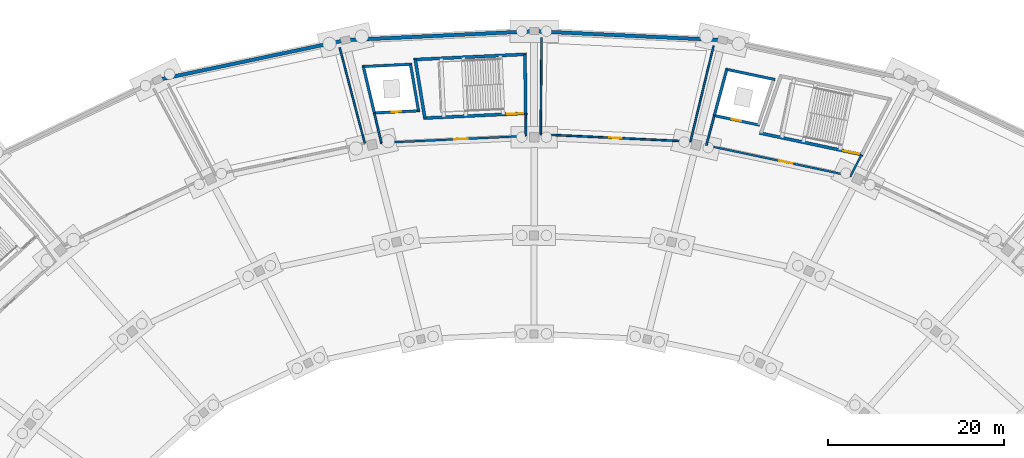
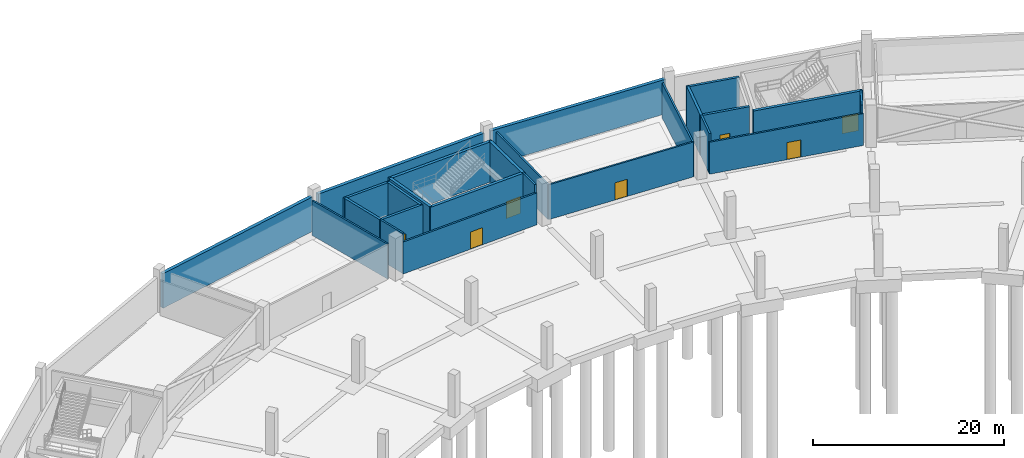
# One storey, part 17 of 49: 25 walls, 7 doors, 7 openings.
"""IFC4 building model written with IfcOpenShell, lengths in metres."""

from ifc_helpers import new_model, si_unit, direction, frame, frame_2d, origin, place, context, subcontext, project, spatial, rectangle, extrude, material, layer, layer_set, type_object, element, fill, save


model = new_model("IFC4")

# Units and contexts
model_context = context("Model", 3, precision=1e-05, world=origin(), true_north=direction((0.0, 1.0)))
body_context = subcontext(model_context, "Body", "Model", "MODEL_VIEW")
ifc_project = project(units=[si_unit("LENGTHUNIT", "METRE"), si_unit("AREAUNIT", "SQUARE_METRE"), si_unit("VOLUMEUNIT", "CUBIC_METRE"), si_unit("PLANEANGLEUNIT", "RADIAN"), si_unit("MASSUNIT", "GRAM", prefix="KILO")], contexts=[model_context])

# Site, building, storey
site_placement = place(None, origin())
site = spatial("IfcSite", under=ifc_project, at=site_placement, CompositionType="ELEMENT")
building_placement = place(site_placement, origin())
building = spatial("IfcBuilding", under=site, at=building_placement, Name="Kazemori Nagisa Stadium", CompositionType="ELEMENT")
storey_placement = place(building_placement, frame((0.0, 0.0, -5.43994140625)))
storey = spatial("IfcBuildingStorey", under=building, at=storey_placement, Name="B1", CompositionType="ELEMENT", Elevation=-5.43994140625)

# Walls
ifc_material_1 = material(Name="Concrete C40/50 (Fc42)", Category="concrete")
ifc_layer_1 = layer(ifc_material_1, 0.39990234375, Name="Concrete C40/50 (Fc42)", Category="concrete")
ifc_layer_set_1 = layer_set([ifc_layer_1], Name="Concrete C40/50 (Fc42)")
wall_type_1 = type_object("IfcWallType", Name="Wall_W-B1-RET-400", PredefinedType="SOLIDWALL", material=ifc_layer_set_1)
for number, where, z_axis, x_axis, name in (
    (1, (144.0380859375, 187.00537109375, 0.0), (0.0, 0.0, 1.0), (-0.998884033728, 0.047230150999, 0.0), "Basement perimeter retaining wall B1-07"),
    (2, (122.6103515625, 187.981689453125, 0.0), (0.0, 0.0, 1.0), (-0.998884033728, -0.047230150999, 0.0), "Basement perimeter retaining wall B1-08"),
):
    element("IfcWall", number, at=place(storey_placement, frame(where, z_axis=z_axis, x_axis=x_axis)), inside=storey, type_object=wall_type_1, Name=name, PredefinedType="SOLIDWALL", context=body_context, shape_type="SweptSolid", body=[
        extrude(rectangle(XDim=20.67138671875, YDim=0.39990234375, at=frame_2d((10.335693359375, 0.0))), origin(), (0.0, 0.0, 1.0), 4.419921875),
    ])
wall_1_placement = place(storey_placement, frame((101.190673828125, 186.906005859375, 0.0), z_axis=(0.0, 0.0, 1.0), x_axis=(-0.978345100851, -0.206980346028, 0.0)))
element("IfcWall", 3, at=wall_1_placement, inside=storey, type_object=wall_type_1, Name="Basement perimeter retaining wall B1-09", PredefinedType="SOLIDWALL", context=body_context, shape_type="SweptSolid", body=[
    extrude(rectangle(XDim=21.070068359375, YDim=0.39990234375, at=frame_2d((10.53515625, 0.0))), origin(), (0.0, 0.0, 1.0), 4.419921875),
])

# Wall, opening, door
ifc_layer_2 = layer(ifc_material_1, 0.35009765625, Name="Concrete C40/50 (Fc42)", Category="concrete")
ifc_layer_set_2 = layer_set([ifc_layer_2], Name="Concrete C40/50 (Fc42)")
wall_type_2 = type_object("IfcWallType", Name="Wall_W-CORE-350", PredefinedType="SHEAR", material=ifc_layer_set_2)
wall_2_placement = place(storey_placement, frame((160.399658203125, 173.939697265625, 0.0), z_axis=(0.0, 0.0, 1.0), x_axis=(-0.978345203961, 0.206979858648, 0.0)))
wall_2 = element("IfcWall", 4, at=wall_2_placement, inside=storey, type_object=wall_type_2, Name="Core stair front shear wall ST11 B1", PredefinedType="SHEAR", context=body_context, shape_type="SweptSolid", body=[
    extrude(rectangle(XDim=12.044189453125, YDim=0.35009765625, at=frame_2d((6.02197265625, 0.0))), origin(), (0.0, 0.0, 1.0), 5.139892578125),
])
opening_1_placement = place(wall_2_placement, frame((0.47509765625, 0.0, 0.0)))
opening_1 = element("IfcOpeningElement", 5, at=opening_1_placement, cuts=wall_2, Name="Opening D-ST-1800", PredefinedType="OPENING", context=body_context, shape_type="SweptSolid", body=[
    extrude(rectangle(XDim=1.800048828125, YDim=2.199951171875, at=frame_2d((0.89990234375, 1.10009765625))), frame((0.0, 0.18505859375, 0.0), z_axis=(0.0, -1.0, 0.0), x_axis=(1.0, 0.0, 0.0)), (0.0, 0.0, 1.0), 0.3701171875),
])
ifc_material_2 = material(Name="Galvanised steel sheet", Category="steel")
door_type_1 = type_object("IfcDoorType", Name="Door_D-ST-1800", OperationType="NOTDEFINED", PredefinedType="DOOR", material=ifc_material_2)
door_1_placement = place(opening_1_placement, frame((1.800048828125, 0.0, 0.0), z_axis=(0.0, 0.0, 1.0), x_axis=(-1.0, 0.0, 0.0)))
door_1 = element("IfcDoor", 6, at=door_1_placement, inside=storey, type_object=door_type_1, Name="Exit stair fire door ST11-B1", OperationType="SINGLE_SWING_LEFT", OverallHeight=2.199951171875, OverallWidth=1.800048828125, PredefinedType="DOOR", context=body_context, shape_type="SweptSolid", body=[
    extrude(rectangle(XDim=1.800048828125, YDim=2.199951171875, at=frame_2d((0.89990234375, 1.10009765625))), frame((0.0, 0.02490234375, 0.0), z_axis=(0.0, -1.0, 0.0), x_axis=(1.0, 0.0, 0.0)), (0.0, 0.0, 1.0), 0.050048828125),
])
fill(opening_1, door_1)

wall_3_placement = place(storey_placement, frame((122.218994140625, 178.675048828125, 0.0), z_axis=(0.0, 0.0, 1.0), x_axis=(-0.998883770468, -0.04723571843, 0.0)))
wall_3 = element("IfcWall", 7, at=wall_3_placement, inside=storey, type_object=wall_type_2, Name="Core stair front shear wall ST05 B1", PredefinedType="SHEAR", context=body_context, shape_type="SweptSolid", body=[
    extrude(rectangle(XDim=11.830810546875, YDim=0.35009765625, at=frame_2d((5.91552734375, 0.0))), origin(), (0.0, 0.0, 1.0), 5.139892578125),
])
opening_2_placement = place(wall_3_placement, frame((0.47509765625, 0.0, 0.0)))
opening_2 = element("IfcOpeningElement", 8, at=opening_2_placement, cuts=wall_3, Name="Opening D-ST-1800", PredefinedType="OPENING", context=body_context, shape_type="SweptSolid", body=[
    extrude(rectangle(XDim=1.800048828125, YDim=2.199951171875, at=frame_2d((0.89990234375, 1.10009765625))), frame((0.0, 0.18505859375, 0.0), z_axis=(0.0, -1.0, 0.0), x_axis=(1.0, 0.0, 0.0)), (0.0, 0.0, 1.0), 0.3701171875),
])
door_2_placement = place(opening_2_placement, frame((1.800048828125, 0.0, 0.0), z_axis=(0.0, 0.0, 1.0), x_axis=(-1.0, 0.0, 0.0)))
door_2 = element("IfcDoor", 9, at=door_2_placement, inside=storey, type_object=door_type_1, Name="Exit stair fire door ST05-B1", OperationType="SINGLE_SWING_RIGHT", OverallHeight=2.199951171875, OverallWidth=1.800048828125, PredefinedType="DOOR", context=body_context, shape_type="SweptSolid", body=[
    extrude(rectangle(XDim=1.800048828125, YDim=2.199951171875, at=frame_2d((0.89990234375, 1.10009765625))), frame((0.0, 0.02490234375, 0.0), z_axis=(0.0, -1.0, 0.0), x_axis=(1.0, 0.0, 0.0)), (0.0, 0.0, 1.0), 0.050048828125),
])
fill(opening_2, door_2)

# Walls
wall_4_placement = place(storey_placement, frame((122.135498046875, 185.379150390625, 0.0), z_axis=(0.0, 0.0, 1.0), x_axis=(-0.998884004857, -0.047230761603, 0.0)))
element("IfcWall", 10, at=wall_4_placement, inside=storey, type_object=wall_type_2, Name="Core stair rear shear wall ST05 B1", PredefinedType="SHEAR", context=body_context, shape_type="SweptSolid", body=[
    extrude(rectangle(XDim=12.8349609375, YDim=0.35009765625, at=frame_2d((6.41748046875, 0.0))), origin(), (0.0, 0.0, 1.0), 5.139892578125),
])
wall_5_placement = place(storey_placement, frame((122.04443359375, 178.666748046875, 0.0), z_axis=(0.0, 0.0, 1.0), x_axis=(-0.012489921532, 0.999921997888, 0.0)))
element("IfcWall", 11, at=wall_5_placement, inside=storey, type_object=wall_type_2, Name="Core stair left shear wall ST05 B1", PredefinedType="SHEAR", context=body_context, shape_type="SweptSolid", body=[
    extrude(rectangle(XDim=6.70458984375, YDim=0.35009765625, at=frame_2d((3.352294921875, 0.0))), origin(), (0.0, 0.0, 1.0), 5.139892578125),
])
wall_6_placement = place(storey_placement, frame((110.576171875, 178.12451171875, 0.0), z_axis=(0.0, 0.0, 1.0), x_axis=(-0.161075775241, 0.986942042184, 0.0)))
element("IfcWall", 12, at=wall_6_placement, inside=storey, type_object=wall_type_2, Name="Core stair right shear wall ST05 B1", PredefinedType="SHEAR", context=body_context, shape_type="SweptSolid", body=[
    extrude(rectangle(XDim=6.744873046875, YDim=0.35009765625, at=frame_2d((3.37255859375, 0.0))), origin(), (0.0, 0.0, 1.0), 5.139892578125),
])

# Wall, opening, door
ifc_material_3 = material(Name="Concrete C36/45 (Fc36)", Category="concrete")
ifc_layer_3 = layer(ifc_material_3, 0.219970703125, Name="Concrete C36/45 (Fc36)", Category="concrete")
ifc_layer_set_3 = layer_set([ifc_layer_3], Name="Concrete C36/45 (Fc36)")
wall_type_3 = type_object("IfcWallType", Name="Wall_W-LOBBY-220", PredefinedType="SOLIDWALL", material=ifc_layer_set_3)
wall_7_placement = place(storey_placement, frame((159.083984375, 171.5322265625, 0.0), z_axis=(0.0, 0.0, 1.0), x_axis=(-0.978342313718, 0.206993519678, 0.0)))
wall_7 = element("IfcWall", 13, at=wall_7_placement, inside=storey, type_object=wall_type_3, Name="Core lobby fire wall ST11 B1", PredefinedType="SOLIDWALL", context=body_context, shape_type="SweptSolid", body=[
    extrude(rectangle(XDim=16.983154296875, YDim=0.219970703125, at=frame_2d((8.49169921875, 0.0))), origin(), (0.0, 0.0, 1.0), 4.087890625),
])
opening_3_placement = place(wall_7_placement, frame((6.903076171875, 0.0, 0.0)))
opening_3 = element("IfcOpeningElement", 14, at=opening_3_placement, cuts=wall_7, Name="Opening D-FFL-1500", PredefinedType="OPENING", context=body_context, shape_type="SweptSolid", body=[
    extrude(rectangle(XDim=1.5, YDim=2.199951171875, at=frame_2d((0.75, 1.10009765625))), frame((0.0, 0.119873046875, 0.0), z_axis=(0.0, -1.0, 0.0), x_axis=(1.0, 0.0, 0.0)), (0.0, 0.0, 1.0), 0.239990234375),
])
door_type_2 = type_object("IfcDoorType", Name="Door_D-FFL-1500", OperationType="NOTDEFINED", PredefinedType="DOOR", material=ifc_material_2)
door_3_placement = place(opening_3_placement, frame((1.5, 0.0, 0.0), z_axis=(0.0, 0.0, 1.0), x_axis=(-1.0, 0.0, 0.0)))
door_3 = element("IfcDoor", 15, at=door_3_placement, inside=storey, type_object=door_type_2, Name="Protected lobby fire door ST11-B1", OperationType="DOUBLE_DOOR_SINGLE_SWING", OverallHeight=2.199951171875, OverallWidth=1.5, PredefinedType="DOOR", context=body_context, shape_type="SweptSolid", body=[
    extrude(rectangle(XDim=1.5, YDim=2.199951171875, at=frame_2d((0.75, 1.10009765625))), frame((0.0, 0.02490234375, 0.0), z_axis=(0.0, -1.0, 0.0), x_axis=(1.0, 0.0, 0.0)), (0.0, 0.0, 1.0), 0.050048828125),
])
fill(opening_3, door_3)

# Walls
wall_8_placement = place(storey_placement, frame((158.976318359375, 171.55517578125, 0.0), z_axis=(0.0, 0.0, 1.0), x_axis=(0.459461910618, 0.888197473928, 0.0)))
element("IfcWall", 16, at=wall_8_placement, inside=storey, type_object=wall_type_3, Name="Core lobby left wall ST11 B1", PredefinedType="SOLIDWALL", context=body_context, shape_type="SweptSolid", body=[
    extrude(rectangle(XDim=2.725341796875, YDim=0.219970703125, at=frame_2d((1.36279296875, 0.0))), origin(), (0.0, 0.0, 1.0), 5.139892578125),
])
wall_9_placement = place(storey_placement, frame((142.576171875, 175.024658203125, 0.0), z_axis=(0.0, 0.0, 1.0), x_axis=(0.258940146037, 0.965893369255, 0.0)))
element("IfcWall", 17, at=wall_9_placement, inside=storey, type_object=wall_type_3, Name="Core lobby right wall ST11 B1", PredefinedType="SOLIDWALL", context=body_context, shape_type="SweptSolid", body=[
    extrude(rectangle(XDim=3.50830078125, YDim=0.219970703125, at=frame_2d((1.754150390625, 0.0))), origin(), (0.0, 0.0, 1.0), 5.139892578125),
])

# Wall, opening, door
wall_10_placement = place(storey_placement, frame((122.186279296875, 176.093505859375, 0.0), z_axis=(0.0, 0.0, 1.0), x_axis=(-0.998884242682, -0.047225731555, 0.0)))
wall_10 = element("IfcWall", 18, at=wall_10_placement, inside=storey, type_object=wall_type_3, Name="Core lobby fire wall ST05 B1", PredefinedType="SOLIDWALL", context=body_context, shape_type="SweptSolid", body=[
    extrude(rectangle(XDim=16.67724609375, YDim=0.219970703125, at=frame_2d((8.338623046875, 0.0))), origin(), (0.0, 0.0, 1.0), 4.087890625),
])
opening_4_placement = place(wall_10_placement, frame((6.76611328125, 0.0, 0.0)))
opening_4 = element("IfcOpeningElement", 19, at=opening_4_placement, cuts=wall_10, Name="Opening D-FFL-1500", PredefinedType="OPENING", context=body_context, shape_type="SweptSolid", body=[
    extrude(rectangle(XDim=1.5, YDim=2.199951171875, at=frame_2d((0.75, 1.10009765625))), frame((0.0, 0.119873046875, 0.0), z_axis=(0.0, -1.0, 0.0), x_axis=(1.0, 0.0, 0.0)), (0.0, 0.0, 1.0), 0.239990234375),
])
door_4_placement = place(opening_4_placement, frame((1.5, 0.0, 0.0), z_axis=(0.0, 0.0, 1.0), x_axis=(-1.0, 0.0, 0.0)))
door_4 = element("IfcDoor", 20, at=door_4_placement, inside=storey, type_object=door_type_2, Name="Protected lobby fire door ST05-B1", OperationType="DOUBLE_DOOR_SINGLE_SWING", OverallHeight=2.199951171875, OverallWidth=1.5, PredefinedType="DOOR", context=body_context, shape_type="SweptSolid", body=[
    extrude(rectangle(XDim=1.5, YDim=2.199951171875, at=frame_2d((0.75, 1.10009765625))), frame((0.0, 0.02490234375, 0.0), z_axis=(0.0, -1.0, 0.0), x_axis=(1.0, 0.0, 0.0)), (0.0, 0.0, 1.0), 0.050048828125),
])
fill(opening_4, door_4)

# Walls
wall_11_placement = place(storey_placement, frame((122.076416015625, 176.08837890625, 0.0), z_axis=(0.0, 0.0, 1.0), x_axis=(-0.012403174243, 0.999923077676, 0.0)))
element("IfcWall", 21, at=wall_11_placement, inside=storey, type_object=wall_type_3, Name="Core lobby left wall ST05 B1", PredefinedType="SOLIDWALL", context=body_context, shape_type="SweptSolid", body=[
    extrude(rectangle(XDim=2.57861328125, YDim=0.219970703125, at=frame_2d((1.289306640625, 0.0))), origin(), (0.0, 0.0, 1.0), 5.139892578125),
])
wall_12_placement = place(storey_placement, frame((105.6376953125, 175.31103515625, 0.0), z_axis=(0.0, 0.0, 1.0), x_axis=(-0.230522067539, 0.973067097572, 0.0)))
element("IfcWall", 22, at=wall_12_placement, inside=storey, type_object=wall_type_3, Name="Core lobby right wall ST05 B1", PredefinedType="SOLIDWALL", context=body_context, shape_type="SweptSolid", body=[
    extrude(rectangle(XDim=3.49609375, YDim=0.219970703125, at=frame_2d((1.748046875, 0.0))), origin(), (0.0, 0.0, 1.0), 5.139892578125),
])

# Wall, opening, door
ifc_material_4 = material(Name="Autoclaved aerated concrete blockwork", Category="masonry")
ifc_layer_4 = layer(ifc_material_4, 0.199951171875, Name="Autoclaved aerated concrete blockwork", Category="masonry")
ifc_layer_set_4 = layer_set([ifc_layer_4], Name="Autoclaved aerated concrete blockwork")
wall_type_4 = type_object("IfcWallType", Name="Wall_W-PART-200", PredefinedType="PARTITIONING", material=ifc_layer_set_4)
wall_13_placement = place(storey_placement, frame((140.77294921875, 175.463623046875, 0.0), z_axis=(0.0, 0.0, 1.0), x_axis=(-0.998883826153, 0.047234540851, 0.0)))
wall_13 = element("IfcWall", 23, at=wall_13_placement, inside=storey, type_object=wall_type_4, Name="Room corridor partition B1-B07", PredefinedType="PARTITIONING", context=body_context, shape_type="SweptSolid", body=[
    extrude(rectangle(XDim=17.051513671875, YDim=0.199951171875, at=frame_2d((8.52587890625, 0.0))), origin(), (0.0, 0.0, 1.0), 4.4599609375),
])
opening_5_placement = place(wall_13_placement, frame((7.801025390625, 0.0, 0.0)))
opening_5 = element("IfcOpeningElement", 24, at=opening_5_placement, cuts=wall_13, Name="Opening D-CHG-1450", PredefinedType="OPENING", context=body_context, shape_type="SweptSolid", body=[
    extrude(rectangle(XDim=1.449951171875, YDim=2.199951171875, at=frame_2d((0.72509765625, 1.10009765625))), frame((0.0, 0.10986328125, 0.0), z_axis=(0.0, -1.0, 0.0), x_axis=(1.0, 0.0, 0.0)), (0.0, 0.0, 1.0), 0.219970703125),
])
door_type_3 = type_object("IfcDoorType", Name="Door_D-CHG-1450", OperationType="NOTDEFINED", PredefinedType="DOOR", material=ifc_material_2)
door_5_placement = place(opening_5_placement, origin())
door_5 = element("IfcDoor", 25, at=door_5_placement, inside=storey, type_object=door_type_3, Name="Room entrance door D-CHG-1450 B1-B07", OperationType="SINGLE_SWING_RIGHT", OverallHeight=2.199951171875, OverallWidth=1.449951171875, PredefinedType="DOOR", context=body_context, shape_type="SweptSolid", body=[
    extrude(rectangle(XDim=1.449951171875, YDim=2.199951171875, at=frame_2d((0.72509765625, 1.10009765625))), frame((0.0, 0.02490234375, 0.0), z_axis=(0.0, -1.0, 0.0), x_axis=(1.0, 0.0, 0.0)), (0.0, 0.0, 1.0), 0.050048828125),
])
fill(opening_5, door_5)

# Walls
wall_14_placement = place(storey_placement, frame((140.77294921875, 175.463623046875, 0.0), z_axis=(0.0, 0.0, 1.0), x_axis=(0.235146333041, 0.971959979658, 0.0)))
element("IfcWall", 26, at=wall_14_placement, inside=storey, type_object=wall_type_4, Name="Room radial partition B1-B07-L", PredefinedType="PARTITIONING", context=body_context, shape_type="SweptSolid", body=[
    extrude(rectangle(XDim=11.197509765625, YDim=0.199951171875, at=frame_2d((5.5986328125, 0.0))), origin(), (0.0, 0.0, 1.0), 4.4599609375),
])
wall_15_placement = place(storey_placement, frame((123.740478515625, 176.26904296875, 0.0), z_axis=(0.0, 0.0, 1.0), x_axis=(0.00998463551, 0.999950152284, 0.0)))
element("IfcWall", 27, at=wall_15_placement, inside=storey, type_object=wall_type_4, Name="Room radial partition B1-B07-R", PredefinedType="PARTITIONING", context=body_context, shape_type="SweptSolid", body=[
    extrude(rectangle(XDim=11.003173828125, YDim=0.199951171875, at=frame_2d((5.50146484375, 0.0))), origin(), (0.0, 0.0, 1.0), 4.4599609375),
])
wall_16_placement = place(storey_placement, frame((103.747802734375, 175.272216796875, 0.0), z_axis=(0.0, 0.0, 1.0), x_axis=(-0.254131382846, 0.967169706025, 0.0)))
element("IfcWall", 28, at=wall_16_placement, inside=storey, type_object=wall_type_4, Name="Room radial partition B1-B09-L", PredefinedType="PARTITIONING", context=body_context, shape_type="SweptSolid", body=[
    extrude(rectangle(XDim=11.2236328125, YDim=0.199951171875, at=frame_2d((5.61181640625, 0.0))), origin(), (0.0, 0.0, 1.0), 4.4599609375),
])

# Wall, opening, door
ifc_layer_5 = layer(ifc_material_1, 0.300048828125, Name="Concrete C40/50 (Fc42)", Category="concrete")
ifc_layer_set_5 = layer_set([ifc_layer_5], Name="Concrete C40/50 (Fc42)")
wall_type_5 = type_object("IfcWallType", Name="Wall_W-SHAFT-300", PredefinedType="SHEAR", material=ifc_layer_set_5)
wall_17_placement = place(storey_placement, frame((148.644775390625, 177.32177734375, 0.0), z_axis=(0.0, 0.0, 1.0), x_axis=(-0.978351630878, 0.206949477793, 0.0)))
wall_17 = element("IfcWall", 29, at=wall_17_placement, inside=storey, type_object=wall_type_5, Name="Lift shaft front wall LP3 B1", PredefinedType="SHEAR", context=body_context, shape_type="SweptSolid", body=[
    extrude(rectangle(XDim=5.42431640625, YDim=0.300048828125, at=frame_2d((2.712158203125, 0.0))), origin(), (0.0, 0.0, 1.0), 5.139892578125),
])
opening_6_placement = place(wall_17_placement, frame((2.162109375, 0.0, 0.0)))
opening_6 = element("IfcOpeningElement", 30, at=opening_6_placement, cuts=wall_17, Name="Opening LD-PAX", PredefinedType="OPENING", context=body_context, shape_type="SweptSolid", body=[
    extrude(rectangle(XDim=1.10009765625, YDim=2.199951171875, at=frame_2d((0.550048828125, 1.10009765625))), frame((0.0, 0.159912109375, 0.0), z_axis=(0.0, -1.0, 0.0), x_axis=(1.0, 0.0, 0.0)), (0.0, 0.0, 1.0), 0.320068359375),
])
ifc_material_5 = material(Name="Stainless steel SUS304", Category="steel")
door_type_4 = type_object("IfcDoorType", Name="Door_LD-PAX", OperationType="SLIDING_TO_RIGHT", PredefinedType="DOOR", material=ifc_material_5)
door_6_placement = place(opening_6_placement, origin())
door_6 = element("IfcDoor", 31, at=door_6_placement, inside=storey, type_object=door_type_4, Name="Lift landing door LP3-B1", OperationType="SLIDING_TO_RIGHT", OverallHeight=2.199951171875, OverallWidth=1.10009765625, PredefinedType="DOOR", context=body_context, shape_type="SweptSolid", body=[
    extrude(rectangle(XDim=1.10009765625, YDim=2.199951171875, at=frame_2d((0.550048828125, 1.10009765625))), frame((0.0, 0.02490234375, 0.0), z_axis=(0.0, -1.0, 0.0), x_axis=(1.0, 0.0, 0.0)), (0.0, 0.0, 1.0), 0.050048828125),
])
fill(opening_6, door_6)

# Walls
wall_18_placement = place(storey_placement, frame((150.3974609375, 182.501220703125, 0.0), z_axis=(0.0, 0.0, 1.0), x_axis=(-0.978347069901, 0.206971038591, 0.0)))
element("IfcWall", 32, at=wall_18_placement, inside=storey, type_object=wall_type_5, Name="Lift shaft B wall LP3 B1", PredefinedType="SHEAR", context=body_context, shape_type="SweptSolid", body=[
    extrude(rectangle(XDim=5.7763671875, YDim=0.300048828125, at=frame_2d((2.88818359375, 0.0))), origin(), (0.0, 0.0, 1.0), 5.139892578125),
])
wall_19_placement = place(storey_placement, frame((143.484619140625, 178.413330078125, 0.0), z_axis=(0.0, 0.0, 1.0), x_axis=(0.258958994481, 0.965888316099, 0.0)))
element("IfcWall", 33, at=wall_19_placement, inside=storey, type_object=wall_type_5, Name="Lift shaft R wall LP3 B1", PredefinedType="SHEAR", context=body_context, shape_type="SweptSolid", body=[
    extrude(rectangle(XDim=5.43798828125, YDim=0.300048828125, at=frame_2d((2.718994140625, 0.0))), origin(), (0.0, 0.0, 1.0), 5.139892578125),
])

# Wall, opening, door
wall_20_placement = place(storey_placement, frame((110.007080078125, 178.95751953125, 0.0), z_axis=(0.0, 0.0, 1.0), x_axis=(-0.998884655258, -0.047217004244, 0.0)))
wall_20 = element("IfcWall", 34, at=wall_20_placement, inside=storey, type_object=wall_type_5, Name="Lift shaft front wall LP1 B1", PredefinedType="SHEAR", context=body_context, shape_type="SweptSolid", body=[
    extrude(rectangle(XDim=5.330810546875, YDim=0.300048828125, at=frame_2d((2.66552734375, 0.0))), origin(), (0.0, 0.0, 1.0), 5.139892578125),
])
opening_7_placement = place(wall_20_placement, frame((2.114990234375, 0.0, 0.0)))
opening_7 = element("IfcOpeningElement", 35, at=opening_7_placement, cuts=wall_20, Name="Opening LD-PAX", PredefinedType="OPENING", context=body_context, shape_type="SweptSolid", body=[
    extrude(rectangle(XDim=1.10009765625, YDim=2.199951171875, at=frame_2d((0.550048828125, 1.10009765625))), frame((0.0, 0.159912109375, 0.0), z_axis=(0.0, -1.0, 0.0), x_axis=(1.0, 0.0, 0.0)), (0.0, 0.0, 1.0), 0.320068359375),
])
door_7_placement = place(opening_7_placement, origin())
door_7 = element("IfcDoor", 36, at=door_7_placement, inside=storey, type_object=door_type_4, Name="Lift landing door LP1-B1", OperationType="SLIDING_TO_RIGHT", OverallHeight=2.199951171875, OverallWidth=1.10009765625, PredefinedType="DOOR", context=body_context, shape_type="SweptSolid", body=[
    extrude(rectangle(XDim=1.10009765625, YDim=2.199951171875, at=frame_2d((0.550048828125, 1.10009765625))), frame((0.0, 0.02490234375, 0.0), z_axis=(0.0, -1.0, 0.0), x_axis=(1.0, 0.0, 0.0)), (0.0, 0.0, 1.0), 0.050048828125),
])
fill(opening_7, door_7)

# Walls
wall_21_placement = place(storey_placement, frame((109.103515625, 184.246826171875, 0.0), z_axis=(0.0, 0.0, 1.0), x_axis=(-0.998884329444, -0.047223896393, 0.0)))
element("IfcWall", 37, at=wall_21_placement, inside=storey, type_object=wall_type_5, Name="Lift shaft B wall LP1 B1", PredefinedType="SHEAR", context=body_context, shape_type="SweptSolid", body=[
    extrude(rectangle(XDim=5.676513671875, YDim=0.300048828125, at=frame_2d((2.83837890625, 0.0))), origin(), (0.0, 0.0, 1.0), 5.139892578125),
])
wall_22_placement = place(storey_placement, frame((109.857177734375, 178.95068359375, 0.0), z_axis=(0.0, 0.0, 1.0), x_axis=(-0.168396746868, 0.985719298606, 0.0)))
element("IfcWall", 38, at=wall_22_placement, inside=storey, type_object=wall_type_5, Name="Lift shaft L wall LP1 B1", PredefinedType="SHEAR", context=body_context, shape_type="SweptSolid", body=[
    extrude(rectangle(XDim=5.36572265625, YDim=0.300048828125, at=frame_2d((2.682861328125, 0.0))), origin(), (0.0, 0.0, 1.0), 5.139892578125),
])
wall_23_placement = place(storey_placement, frame((104.831787109375, 178.712890625, 0.0), z_axis=(0.0, 0.0, 1.0), x_axis=(-0.230452911873, 0.97308347813, 0.0)))
element("IfcWall", 39, at=wall_23_placement, inside=storey, type_object=wall_type_5, Name="Lift shaft R wall LP1 B1", PredefinedType="SHEAR", context=body_context, shape_type="SweptSolid", body=[
    extrude(rectangle(XDim=5.418701171875, YDim=0.300048828125, at=frame_2d((2.70947265625, 0.0))), origin(), (0.0, 0.0, 1.0), 5.139892578125),
])

save(model, "model.ifc")
